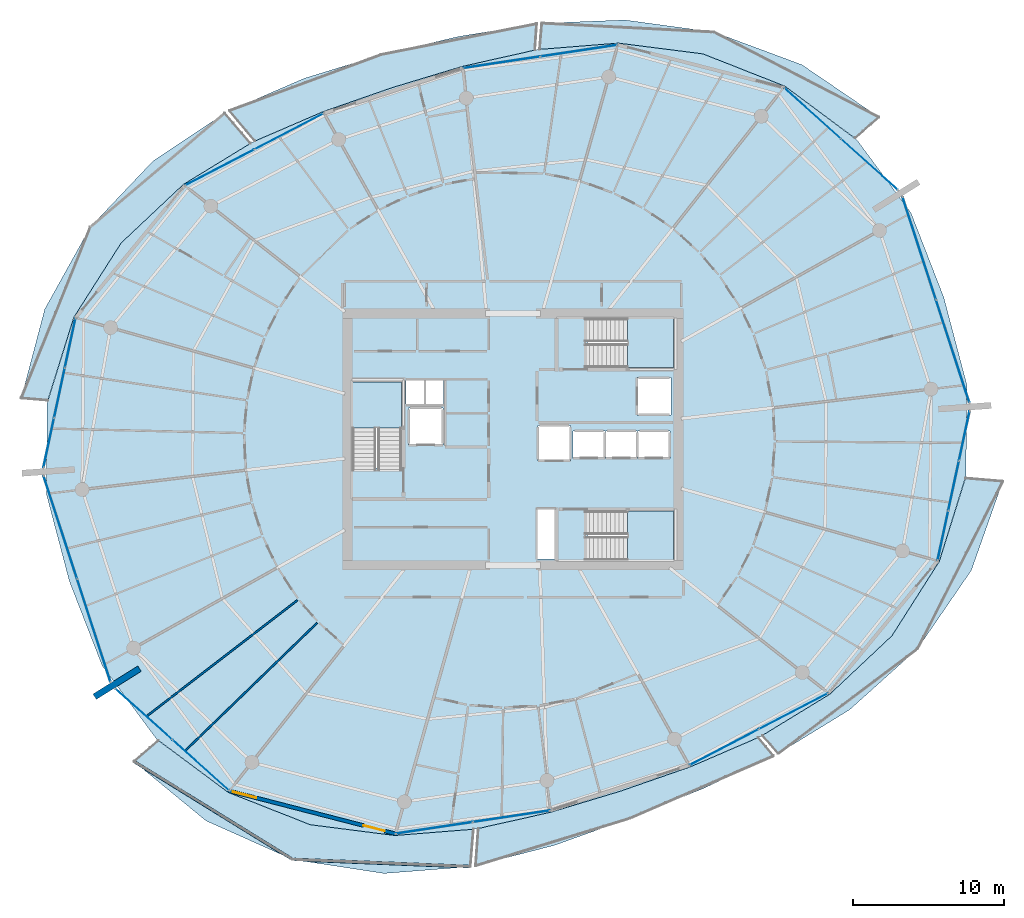
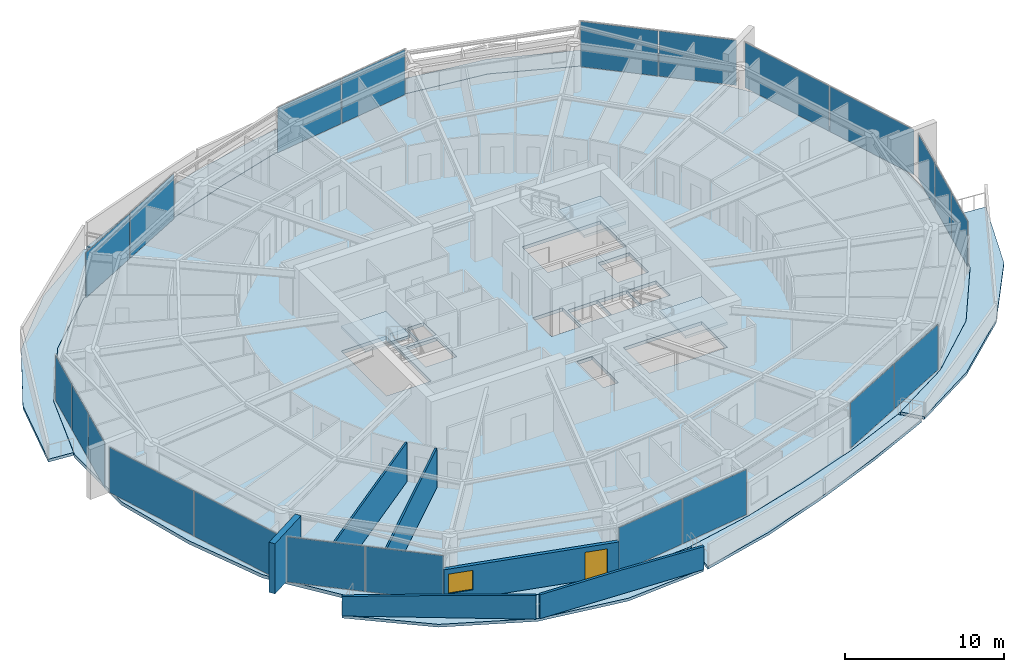
# One storey, part 18 of 31: 22 plates, 10 slabs, 6 walls, 1 door, 1 window, 2 openings, 13 elements without a shape of their own.
"""IFC4 building model written with IfcOpenShell, lengths in metres."""

from ifc_helpers import new_model, si_unit, direction, frame, frame_2d, origin, origin_2d, place, context, subcontext, project, spatial, polyline, rectangle, outline, extrude, material, layer, layer_set, type_object, element, fill, aggregate, save


model = new_model("IFC4")

# Units and contexts
model_context = context("Model", 3, precision=1e-05, world=origin(), true_north=direction((0.0, 1.0)))
body_context = subcontext(model_context, "Body", "Model", "MODEL_VIEW")
ifc_project = project(units=[si_unit("LENGTHUNIT", "METRE"), si_unit("AREAUNIT", "SQUARE_METRE"), si_unit("VOLUMEUNIT", "CUBIC_METRE"), si_unit("PLANEANGLEUNIT", "RADIAN"), si_unit("MASSUNIT", "GRAM", prefix="KILO")], contexts=[model_context])

# Site, building, storey
site_placement = place(None, origin())
site = spatial("IfcSite", under=ifc_project, at=site_placement, CompositionType="ELEMENT")
building_placement = place(site_placement, origin())
building = spatial("IfcBuilding", under=site, at=building_placement, Name="Kazma Halo Residences", CompositionType="ELEMENT")
storey_placement = place(building_placement, frame((0.0, 0.0, 271.35009765625)))
storey = spatial("IfcBuildingStorey", under=building, at=storey_placement, Name="L68", CompositionType="ELEMENT", Elevation=271.35009765625)

# Curtain wall, plates
ifc_material_1 = material(Name="Aluminium AW-6063 T6 and Triple-Silver Low-E Glass", Category="aluminium")
ifc_layer_1 = layer(ifc_material_1, 0.139892578125)
ifc_layer_set_1 = layer_set([ifc_layer_1], Name="Aluminium AW-6063 T6 and Triple-Silver Low-E Glass")
curtain_wall_type = type_object("IfcCurtainWallType", Name="CW-SYS-5", PredefinedType="NOTDEFINED", material=ifc_layer_set_1)
curtain_wall_1_placement = place(storey_placement, origin())
curtain_wall_1 = element("IfcCurtainWall", 1, at=curtain_wall_1_placement, inside=storey, type_object=curtain_wall_type, Name="L68 unitised curtain wall B01", PredefinedType="NOTDEFINED")
ifc_material_2 = material(Name="Clear Triple-Silver Low-E Glass IGU", Category="glass")
ifc_layer_2 = layer(ifc_material_2, 0.02587890625)
ifc_layer_set_2 = layer_set([ifc_layer_2], Name="Clear Triple-Silver Low-E Glass IGU")
plate_type = type_object("IfcPlateType", Name="CW-SYS-5-PNL", PredefinedType="CURTAIN_PANEL", material=ifc_layer_set_2)
plate_1_placement = place(storey_placement, frame((72.002685546875, 60.179443359375, 0.06005859375), z_axis=(0.0, 0.0, 1.0), x_axis=(-0.744336424671, 0.667804826958, 0.0)))
plate_1 = element("IfcPlate", 2, at=plate_1_placement, type_object=plate_type, Name="CWS-5 panel 1.1", PredefinedType="CURTAIN_PANEL", context=body_context, shape_type="SweptSolid", body=[
    extrude(rectangle(XDim=4.993408203125, YDim=0.02587890625, at=origin_2d()), origin(), (0.0, 0.0, 1.0), 3.469970703125),
])
plate_2_placement = place(storey_placement, frame((68.2412109375, 63.55419921875, 0.06005859375), z_axis=(0.0, 0.0, 1.0), x_axis=(-0.744336424671, 0.667804826958, 0.0)))
plate_2 = element("IfcPlate", 3, at=plate_2_placement, type_object=plate_type, Name="CWS-5 panel 2.1", PredefinedType="CURTAIN_PANEL", context=body_context, shape_type="SweptSolid", body=[
    extrude(rectangle(XDim=4.993408203125, YDim=0.02587890625, at=origin_2d()), origin(), (0.0, 0.0, 1.0), 3.469970703125),
])
aggregate(curtain_wall_1, [plate_1, plate_2])

curtain_wall_2_placement = place(storey_placement, origin())
curtain_wall_2 = element("IfcCurtainWall", 4, at=curtain_wall_2_placement, inside=storey, type_object=curtain_wall_type, Name="L68 unitised curtain wall B03", PredefinedType="NOTDEFINED")
plate_3_placement = place(storey_placement, frame((52.77783203125, 67.70361328125, 0.06005859375), z_axis=(0.0, 0.0, 1.0), x_axis=(-0.988882792998, -0.148697080374, 0.0)))
plate_3 = element("IfcPlate", 5, at=plate_3_placement, type_object=plate_type, Name="CWS-5 panel 1.1", PredefinedType="CURTAIN_PANEL", context=body_context, shape_type="SweptSolid", body=[
    extrude(rectangle(XDim=5.099853515625, YDim=0.02587890625, at=origin_2d()), origin(), (0.0, 0.0, 1.0), 3.469970703125),
])
plate_4_placement = place(storey_placement, frame((47.67529296875, 66.936279296875, 0.06005859375), z_axis=(0.0, 0.0, 1.0), x_axis=(-0.988882792998, -0.148697080374, 0.0)))
plate_4 = element("IfcPlate", 6, at=plate_4_placement, type_object=plate_type, Name="CWS-5 panel 2.1", PredefinedType="CURTAIN_PANEL", context=body_context, shape_type="SweptSolid", body=[
    extrude(rectangle(XDim=5.099853515625, YDim=0.02587890625, at=origin_2d()), origin(), (0.0, 0.0, 1.0), 3.469970703125),
])
aggregate(curtain_wall_2, [plate_3, plate_4])

curtain_wall_3_placement = place(storey_placement, origin())
curtain_wall_3 = element("IfcCurtainWall", 7, at=curtain_wall_3_placement, inside=storey, type_object=curtain_wall_type, Name="L68 unitised curtain wall B05", PredefinedType="NOTDEFINED")
plate_5_placement = place(storey_placement, frame((33.60546875, 62.36474609375, 0.06005859375), z_axis=(0.0, 0.0, 1.0), x_axis=(-0.887420518694, -0.460960760804, 0.0)))
plate_5 = element("IfcPlate", 8, at=plate_5_placement, type_object=plate_type, Name="CWS-5 panel 1.1", PredefinedType="CURTAIN_PANEL", context=body_context, shape_type="SweptSolid", body=[
    extrude(rectangle(XDim=5.099609375, YDim=0.02587890625, at=origin_2d()), origin(), (0.0, 0.0, 1.0), 3.469970703125),
])
plate_6_placement = place(storey_placement, frame((29.026611328125, 59.986328125, 0.06005859375), z_axis=(0.0, 0.0, 1.0), x_axis=(-0.887420518694, -0.460960760804, 0.0)))
plate_6 = element("IfcPlate", 9, at=plate_6_placement, type_object=plate_type, Name="CWS-5 panel 2.1", PredefinedType="CURTAIN_PANEL", context=body_context, shape_type="SweptSolid", body=[
    extrude(rectangle(XDim=5.099609375, YDim=0.02587890625, at=origin_2d()), origin(), (0.0, 0.0, 1.0), 3.469970703125),
])
aggregate(curtain_wall_3, [plate_5, plate_6])

curtain_wall_4_placement = place(storey_placement, origin())
curtain_wall_4 = element("IfcCurtainWall", 10, at=curtain_wall_4_placement, inside=storey, type_object=curtain_wall_type, Name="L68 unitised curtain wall B07", PredefinedType="NOTDEFINED")
plate_7_placement = place(storey_placement, frame((19.133056640625, 48.36865234375, 0.06005859375), z_axis=(0.0, 0.0, 1.0), x_axis=(-0.209657382603, -0.97777491373, 0.0)))
plate_7 = element("IfcPlate", 11, at=plate_7_placement, type_object=plate_type, Name="CWS-5 panel 1.1", PredefinedType="CURTAIN_PANEL", context=body_context, shape_type="SweptSolid", body=[
    extrude(rectangle(XDim=3.299072265625, YDim=0.02587890625, at=origin_2d()), origin(), (0.0, 0.0, 1.0), 3.469970703125),
])
plate_8_placement = place(storey_placement, frame((18.42578125, 45.069580078125, 0.06005859375), z_axis=(0.0, 0.0, 1.0), x_axis=(-0.209657382603, -0.97777491373, 0.0)))
plate_8 = element("IfcPlate", 12, at=plate_8_placement, type_object=plate_type, Name="CWS-5 panel 2.1", PredefinedType="CURTAIN_PANEL", context=body_context, shape_type="SweptSolid", body=[
    extrude(rectangle(XDim=3.3291015625, YDim=0.02587890625, at=origin_2d()), origin(), (0.0, 0.0, 1.0), 3.469970703125),
])
plate_9_placement = place(storey_placement, frame((17.71826171875, 41.7705078125, 0.06005859375), z_axis=(0.0, 0.0, 1.0), x_axis=(-0.209657382603, -0.97777491373, 0.0)))
plate_9 = element("IfcPlate", 13, at=plate_9_placement, type_object=plate_type, Name="CWS-5 panel 3.1", PredefinedType="CURTAIN_PANEL", context=body_context, shape_type="SweptSolid", body=[
    extrude(rectangle(XDim=3.299072265625, YDim=0.02587890625, at=origin_2d()), origin(), (0.0, 0.0, 1.0), 3.469970703125),
])
aggregate(curtain_wall_4, [plate_7, plate_8, plate_9])

curtain_wall_5_placement = place(storey_placement, origin())
curtain_wall_5 = element("IfcCurtainWall", 14, at=curtain_wall_5_placement, inside=storey, type_object=curtain_wall_type, Name="L68 unitised curtain wall B08", PredefinedType="NOTDEFINED")
plate_10_placement = place(storey_placement, frame((18.48486328125, 36.1787109375, 0.06005859375), z_axis=(0.0, 0.0, 1.0), x_axis=(0.309010998786, -0.951058464359, 0.0)))
plate_10 = element("IfcPlate", 15, at=plate_10_placement, type_object=plate_type, Name="CWS-5 panel 1.1", PredefinedType="CURTAIN_PANEL", context=body_context, shape_type="SweptSolid", body=[
    extrude(rectangle(XDim=7.108642578125, YDim=0.02587890625, at=origin_2d()), origin(), (0.0, 0.0, 1.0), 3.469970703125),
])
plate_11_placement = place(storey_placement, frame((20.699951171875, 29.36083984375, 0.06005859375), z_axis=(0.0, 0.0, 1.0), x_axis=(0.309010998786, -0.951058464359, 0.0)))
plate_11 = element("IfcPlate", 16, at=plate_11_placement, type_object=plate_type, Name="CWS-5 panel 2.1", PredefinedType="CURTAIN_PANEL", context=body_context, shape_type="SweptSolid", body=[
    extrude(rectangle(XDim=7.108642578125, YDim=0.02587890625, at=origin_2d()), origin(), (0.0, 0.0, 1.0), 3.469970703125),
])
aggregate(curtain_wall_5, [plate_10, plate_11])

curtain_wall_6_placement = place(storey_placement, origin())
curtain_wall_6 = element("IfcCurtainWall", 17, at=curtain_wall_6_placement, inside=storey, type_object=curtain_wall_type, Name="L68 unitised curtain wall B09", PredefinedType="NOTDEFINED")
plate_12_placement = place(storey_placement, frame((23.997314453125, 23.820556640625, 0.06005859375), z_axis=(0.0, 0.0, 1.0), x_axis=(0.744336424671, -0.667804826958, 0.0)))
plate_12 = element("IfcPlate", 18, at=plate_12_placement, type_object=plate_type, Name="CWS-5 panel 1.1", PredefinedType="CURTAIN_PANEL", context=body_context, shape_type="SweptSolid", body=[
    extrude(rectangle(XDim=4.993408203125, YDim=0.02587890625, at=origin_2d()), origin(), (0.0, 0.0, 1.0), 3.469970703125),
])
plate_13_placement = place(storey_placement, frame((27.7587890625, 20.44580078125, 0.06005859375), z_axis=(0.0, 0.0, 1.0), x_axis=(0.744336424671, -0.667804826958, 0.0)))
plate_13 = element("IfcPlate", 19, at=plate_13_placement, type_object=plate_type, Name="CWS-5 panel 2.1", PredefinedType="CURTAIN_PANEL", context=body_context, shape_type="SweptSolid", body=[
    extrude(rectangle(XDim=4.993408203125, YDim=0.02587890625, at=origin_2d()), origin(), (0.0, 0.0, 1.0), 3.469970703125),
])
aggregate(curtain_wall_6, [plate_12, plate_13])

curtain_wall_7_placement = place(storey_placement, origin())
curtain_wall_7 = element("IfcCurtainWall", 20, at=curtain_wall_7_placement, inside=storey, type_object=curtain_wall_type, Name="L68 unitised curtain wall B11", PredefinedType="NOTDEFINED")
plate_14_placement = place(storey_placement, frame((43.22216796875, 16.29638671875, 0.06005859375), z_axis=(0.0, 0.0, 1.0), x_axis=(0.988882792998, 0.148697080374, 0.0)))
plate_14 = element("IfcPlate", 21, at=plate_14_placement, type_object=plate_type, Name="CWS-5 panel 1.1", PredefinedType="CURTAIN_PANEL", context=body_context, shape_type="SweptSolid", body=[
    extrude(rectangle(XDim=5.099853515625, YDim=0.02587890625, at=origin_2d()), origin(), (0.0, 0.0, 1.0), 3.469970703125),
])
plate_15_placement = place(storey_placement, frame((48.32470703125, 17.063720703125, 0.06005859375), z_axis=(0.0, 0.0, 1.0), x_axis=(0.988882792998, 0.148697080374, 0.0)))
plate_15 = element("IfcPlate", 22, at=plate_15_placement, type_object=plate_type, Name="CWS-5 panel 2.1", PredefinedType="CURTAIN_PANEL", context=body_context, shape_type="SweptSolid", body=[
    extrude(rectangle(XDim=5.099853515625, YDim=0.02587890625, at=origin_2d()), origin(), (0.0, 0.0, 1.0), 3.469970703125),
])
aggregate(curtain_wall_7, [plate_14, plate_15])

curtain_wall_8_placement = place(storey_placement, origin())
curtain_wall_8 = element("IfcCurtainWall", 23, at=curtain_wall_8_placement, inside=storey, type_object=curtain_wall_type, Name="L68 unitised curtain wall B13", PredefinedType="NOTDEFINED")
plate_16_placement = place(storey_placement, frame((62.39453125, 21.63525390625, 0.06005859375), z_axis=(0.0, 0.0, 1.0), x_axis=(0.887420518694, 0.460960760804, 0.0)))
plate_16 = element("IfcPlate", 24, at=plate_16_placement, type_object=plate_type, Name="CWS-5 panel 1.1", PredefinedType="CURTAIN_PANEL", context=body_context, shape_type="SweptSolid", body=[
    extrude(rectangle(XDim=5.099609375, YDim=0.02587890625, at=origin_2d()), origin(), (0.0, 0.0, 1.0), 3.469970703125),
])
plate_17_placement = place(storey_placement, frame((66.973388671875, 24.013671875, 0.06005859375), z_axis=(0.0, 0.0, 1.0), x_axis=(0.887420518694, 0.460960760804, 0.0)))
plate_17 = element("IfcPlate", 25, at=plate_17_placement, type_object=plate_type, Name="CWS-5 panel 2.1", PredefinedType="CURTAIN_PANEL", context=body_context, shape_type="SweptSolid", body=[
    extrude(rectangle(XDim=5.099609375, YDim=0.02587890625, at=origin_2d()), origin(), (0.0, 0.0, 1.0), 3.469970703125),
])
aggregate(curtain_wall_8, [plate_16, plate_17])

curtain_wall_9_placement = place(storey_placement, origin())
curtain_wall_9 = element("IfcCurtainWall", 26, at=curtain_wall_9_placement, inside=storey, type_object=curtain_wall_type, Name="L68 unitised curtain wall B15", PredefinedType="NOTDEFINED")
plate_18_placement = place(storey_placement, frame((76.866943359375, 35.63134765625, 0.06005859375), z_axis=(0.0, 0.0, 1.0), x_axis=(0.209657382603, 0.97777491373, 0.0)))
plate_18 = element("IfcPlate", 27, at=plate_18_placement, type_object=plate_type, Name="CWS-5 panel 1.1", PredefinedType="CURTAIN_PANEL", context=body_context, shape_type="SweptSolid", body=[
    extrude(rectangle(XDim=3.299072265625, YDim=0.02587890625, at=origin_2d()), origin(), (0.0, 0.0, 1.0), 3.469970703125),
])
plate_19_placement = place(storey_placement, frame((77.57421875, 38.930419921875, 0.06005859375), z_axis=(0.0, 0.0, 1.0), x_axis=(0.209657382603, 0.97777491373, 0.0)))
plate_19 = element("IfcPlate", 28, at=plate_19_placement, type_object=plate_type, Name="CWS-5 panel 2.1", PredefinedType="CURTAIN_PANEL", context=body_context, shape_type="SweptSolid", body=[
    extrude(rectangle(XDim=3.3291015625, YDim=0.02587890625, at=origin_2d()), origin(), (0.0, 0.0, 1.0), 3.469970703125),
])
plate_20_placement = place(storey_placement, frame((78.28173828125, 42.2294921875, 0.06005859375), z_axis=(0.0, 0.0, 1.0), x_axis=(0.209657382603, 0.97777491373, 0.0)))
plate_20 = element("IfcPlate", 29, at=plate_20_placement, type_object=plate_type, Name="CWS-5 panel 3.1", PredefinedType="CURTAIN_PANEL", context=body_context, shape_type="SweptSolid", body=[
    extrude(rectangle(XDim=3.299072265625, YDim=0.02587890625, at=origin_2d()), origin(), (0.0, 0.0, 1.0), 3.469970703125),
])
aggregate(curtain_wall_9, [plate_18, plate_19, plate_20])

curtain_wall_10_placement = place(storey_placement, origin())
curtain_wall_10 = element("IfcCurtainWall", 30, at=curtain_wall_10_placement, inside=storey, type_object=curtain_wall_type, Name="L68 unitised curtain wall B16", PredefinedType="NOTDEFINED")
plate_21_placement = place(storey_placement, frame((77.51513671875, 47.8212890625, 0.06005859375), z_axis=(0.0, 0.0, 1.0), x_axis=(-0.309010998786, 0.951058464359, 0.0)))
plate_21 = element("IfcPlate", 31, at=plate_21_placement, type_object=plate_type, Name="CWS-5 panel 1.1", PredefinedType="CURTAIN_PANEL", context=body_context, shape_type="SweptSolid", body=[
    extrude(rectangle(XDim=7.108642578125, YDim=0.02587890625, at=origin_2d()), origin(), (0.0, 0.0, 1.0), 3.469970703125),
])
plate_22_placement = place(storey_placement, frame((75.300048828125, 54.63916015625, 0.06005859375), z_axis=(0.0, 0.0, 1.0), x_axis=(-0.309010998786, 0.951058464359, 0.0)))
plate_22 = element("IfcPlate", 32, at=plate_22_placement, type_object=plate_type, Name="CWS-5 panel 2.1", PredefinedType="CURTAIN_PANEL", context=body_context, shape_type="SweptSolid", body=[
    extrude(rectangle(XDim=7.108642578125, YDim=0.02587890625, at=origin_2d()), origin(), (0.0, 0.0, 1.0), 3.469970703125),
])
aggregate(curtain_wall_10, [plate_21, plate_22])

# Slabs
ifc_material_3 = material(Name="White Concrete C50/60", Category="concrete")
ifc_layer_3 = layer(ifc_material_3, 0.219970703125)
ifc_layer_set_3 = layer_set([ifc_layer_3], Name="White Concrete C50/60")
slab_type_1 = type_object("IfcSlabType", Name="SLB-BAL-WAVE-210", PredefinedType="FLOOR", material=ifc_layer_set_3)
slab_1_placement = place(storey_placement, frame((0.0, 0.0, -0.22021484375)))
element("IfcSlab", 33, at=slab_1_placement, inside=storey, type_object=slab_type_1, Name="L68 NE cantilevered wave balcony slab", PredefinedType="FLOOR", context=body_context, shape_type="SweptSolid", body=[
    extrude(outline(polyline([(71.0400390625, 61.9228515625), (66.41357421875, 65.357421875), (60.990478515625, 67.49560546875), (55.3916015625, 68.208984375), (50.188720703125, 67.794189453125), (50.33544921875, 69.523681640625), (55.82275390625, 69.7373046875), (61.72509765625, 68.936767578125), (67.533447265625, 66.778076171875), (72.63720703125, 63.3037109375), (71.0400390625, 61.9228515625)])), origin(), (0.0, 0.0, 1.0), 0.22021484375),
])
slab_2_placement = place(storey_placement, frame((0.0, 0.0, -0.22021484375)))
element("IfcSlab", 34, at=slab_2_placement, inside=storey, type_object=slab_type_1, Name="L68 NNW cantilevered wave balcony slab", PredefinedType="FLOOR", context=body_context, shape_type="SweptSolid", body=[
    extrude(outline(polyline([(49.8681640625, 67.74609375), (45.080078125, 66.66943359375), (40.43994140625, 65.267333984375), (35.86181640625, 63.67431640625), (31.35546875, 61.731201171875), (29.66259765625, 63.73779296875), (34.62548828125, 65.882080078125), (39.730224609375, 67.451904296875), (44.845458984375, 68.652099609375), (49.994384765625, 69.486083984375), (49.8681640625, 67.74609375)])), origin(), (0.0, 0.0, 1.0), 0.22021484375),
])
slab_3_placement = place(storey_placement, frame((0.0, 0.0, -0.22021484375)))
element("IfcSlab", 35, at=slab_3_placement, inside=storey, type_object=slab_type_1, Name="L68 NW cantilevered wave balcony slab", PredefinedType="FLOOR", context=body_context, shape_type="SweptSolid", body=[
    extrude(outline(polyline([(31.06787109375, 61.58154296875), (26.614501953125, 58.85888671875), (22.50439453125, 54.990478515625), (19.3740234375, 50.0732421875), (17.64990234375, 44.5751953125), (15.89599609375, 44.72412109375), (17.452392578125, 50.615234375), (20.4580078125, 56.033447265625), (24.62744140625, 60.42529296875), (29.34765625, 63.571044921875), (31.06787109375, 61.58154296875)])), origin(), (0.0, 0.0, 1.0), 0.22021484375),
])
slab_4_placement = place(storey_placement, frame((0.0, 0.0, -0.22021484375)))
element("IfcSlab", 36, at=slab_4_placement, inside=storey, type_object=slab_type_1, Name="L68 SW cantilevered wave balcony slab", PredefinedType="FLOOR", context=body_context, shape_type="SweptSolid", body=[
    extrude(outline(polyline([(24.9599609375, 22.0771484375), (29.58642578125, 18.642578125), (35.009521484375, 16.50439453125), (40.6083984375, 15.791015625), (45.811279296875, 16.205810546875), (45.601318359375, 13.72998046875), (39.900390625, 13.28076171875), (33.8388671875, 14.20703125), (28.10888671875, 16.76806640625), (23.348388671875, 20.68359375), (24.9599609375, 22.0771484375)])), origin(), (0.0, 0.0, 1.0), 0.22021484375),
])
slab_5_placement = place(storey_placement, frame((0.0, 0.0, -0.22021484375)))
element("IfcSlab", 37, at=slab_5_placement, inside=storey, type_object=slab_type_1, Name="L68 SSE cantilevered wave balcony slab", PredefinedType="FLOOR", context=body_context, shape_type="SweptSolid", body=[
    extrude(outline(polyline([(46.1318359375, 16.25390625), (50.919921875, 17.33056640625), (55.56005859375, 18.732666015625), (60.13818359375, 20.32568359375), (64.64453125, 22.268798828125), (65.666748046875, 21.05712890625), (60.951904296875, 18.87255859375), (56.146728515625, 16.926513671875), (51.17822265625, 15.146240234375), (45.953369140625, 13.794189453125), (46.1318359375, 16.25390625)])), origin(), (0.0, 0.0, 1.0), 0.22021484375),
])
slab_6_placement = place(storey_placement, frame((0.0, 0.0, -0.22021484375)))
element("IfcSlab", 38, at=slab_6_placement, inside=storey, type_object=slab_type_1, Name="L68 SE cantilevered wave balcony slab", PredefinedType="FLOOR", context=body_context, shape_type="SweptSolid", body=[
    extrude(outline(polyline([(64.93212890625, 22.41845703125), (69.385498046875, 25.14111328125), (73.49560546875, 29.009521484375), (76.6259765625, 33.9267578125), (78.35009765625, 39.4248046875), (80.822998046875, 39.21484375), (78.742919921875, 33.32958984375), (75.1875, 28.147216796875), (70.693359375, 24.110107421875), (65.972412109375, 21.215576171875), (64.93212890625, 22.41845703125)])), origin(), (0.0, 0.0, 1.0), 0.22021484375),
])
ifc_material_4 = material(Name="Concrete C50/60", Category="concrete")
ifc_layer_4 = layer(ifc_material_4, 0.260009765625)
ifc_layer_set_4 = layer_set([ifc_layer_4], Name="Concrete C50/60")
slab_type_2 = type_object("IfcSlabType", Name="SLB-RES-260", PredefinedType="FLOOR", material=ifc_layer_set_4)
slab_7_placement = place(storey_placement, frame((0.0, 0.0, -0.260009765625)))
element("IfcSlab", 39, at=slab_7_placement, inside=storey, type_object=slab_type_2, Name="L68 structural floor slab", PredefinedType="FLOOR", context=body_context, shape_type="SweptSolid", body=[
    extrude(outline(polyline([(76.9189453125, 51.396240234375), (74.749755859375, 56.980712890625), (71.180419921875, 61.7978515625), (66.412109375, 65.355712890625), (60.98974609375, 67.49365234375), (55.39111328125, 68.207275390625), (50.02880859375, 67.7783203125), (45.080322265625, 66.66748046875), (40.440673828125, 65.265380859375), (35.86279296875, 63.672607421875), (31.20654296875, 61.66259765625), (26.6162109375, 58.857666015625), (22.50634765625, 54.98974609375), (19.3759765625, 50.07275390625), (17.60986328125, 44.391845703125), (17.5537109375, 38.396484375), (19.0810546875, 32.603759765625), (21.250244140625, 27.019287109375), (24.819580078125, 22.2021484375), (29.587890625, 18.644287109375), (35.01025390625, 16.50634765625), (40.60888671875, 15.792724609375), (45.97119140625, 16.2216796875), (50.919677734375, 17.33251953125), (55.559326171875, 18.734619140625), (60.13720703125, 20.327392578125), (64.79345703125, 22.33740234375), (69.3837890625, 25.142333984375), (73.49365234375, 29.01025390625), (76.6240234375, 33.92724609375), (78.39013671875, 39.608154296875), (78.4462890625, 45.603515625), (76.9189453125, 51.396240234375)]), holes=[polyline([(37.800048828125, 40.110107421875), (41.050048828125, 40.110107421875), (41.050048828125, 45.800048828125), (37.800048828125, 45.800048828125), (37.800048828125, 40.110107421875)]), polyline([(53.360107421875, 46.75), (59.050048828125, 46.75), (59.050048828125, 50.0), (53.360107421875, 50.0), (53.360107421875, 46.75)]), polyline([(53.360107421875, 34.0), (59.050048828125, 34.0), (59.050048828125, 37.25), (53.360107421875, 37.25), (53.360107421875, 34.0)]), polyline([(41.52001953125, 41.6201171875), (43.780029296875, 41.6201171875), (43.780029296875, 44.080078125), (41.52001953125, 44.080078125), (41.52001953125, 41.6201171875)]), polyline([(56.6201171875, 43.6201171875), (58.8798828125, 43.6201171875), (58.8798828125, 46.080078125), (56.6201171875, 46.080078125), (56.6201171875, 43.6201171875)]), polyline([(52.39501953125, 40.7451171875), (54.5048828125, 40.7451171875), (54.5048828125, 42.554931640625), (52.39501953125, 42.554931640625), (52.39501953125, 40.7451171875)]), polyline([(54.544921875, 40.7451171875), (56.655029296875, 40.7451171875), (56.655029296875, 42.554931640625), (54.544921875, 42.554931640625), (54.544921875, 40.7451171875)]), polyline([(56.695068359375, 40.7451171875), (58.804931640625, 40.7451171875), (58.804931640625, 42.554931640625), (56.695068359375, 42.554931640625), (56.695068359375, 40.7451171875)]), polyline([(50.070068359375, 40.570068359375), (52.22998046875, 40.570068359375), (52.22998046875, 42.929931640625), (50.070068359375, 42.929931640625), (50.070068359375, 40.570068359375)]), polyline([(41.360107421875, 44.340087890625), (42.5400390625, 44.340087890625), (42.5400390625, 45.89990234375), (41.360107421875, 45.89990234375), (41.360107421875, 44.340087890625)]), polyline([(42.659912109375, 44.340087890625), (43.840087890625, 44.340087890625), (43.840087890625, 45.89990234375), (42.659912109375, 45.89990234375), (42.659912109375, 44.340087890625)]), polyline([(50.06005859375, 34.080078125), (51.159912109375, 34.080078125), (51.159912109375, 37.3798828125), (50.06005859375, 37.3798828125), (50.06005859375, 34.080078125)])]), origin(), (0.0, 0.0, 1.0), 0.260009765625),
])

# Stair, slab
stair_type = type_object("IfcStairType", Name="STR-RES2", PredefinedType="HALF_TURN_STAIR", material=ifc_material_4)
stair_1_placement = place(storey_placement, origin())
stair_1 = element("IfcStair", 40, at=stair_1_placement, inside=storey, type_object=stair_type, Name="L68 Core exit stair ST-01", PredefinedType="HALF_TURN_STAIR")
ifc_layer_5 = layer(ifc_material_4, 0.199951171875)
ifc_layer_set_5 = layer_set([ifc_layer_5], Name="Concrete C50/60")
slab_type_3 = type_object("IfcSlabType", Name="SLB-STAIR-LND-200", PredefinedType="LANDING", material=ifc_layer_set_5)
slab_8_placement = place(storey_placement, frame((0.0, 0.0, 1.724853515625)))
slab_8 = element("IfcSlab", 41, at=slab_8_placement, type_object=slab_type_3, Name="ST-01 landing 1", PredefinedType="LANDING", context=body_context, shape_type="SweptSolid", body=[
    extrude(outline(polyline([(41.050048828125, 42.75), (41.050048828125, 45.800048828125), (37.800048828125, 45.800048828125), (37.800048828125, 42.75), (41.050048828125, 42.75)])), origin(), (0.0, 0.0, 1.0), 0.199951171875),
])
aggregate(stair_1, [slab_8])

stair_2_placement = place(storey_placement, origin())
stair_2 = element("IfcStair", 42, at=stair_2_placement, inside=storey, type_object=stair_type, Name="L68 Core exit stair ST-02", PredefinedType="HALF_TURN_STAIR")
slab_9_placement = place(storey_placement, frame((0.0, 0.0, 1.724853515625)))
slab_9 = element("IfcSlab", 43, at=slab_9_placement, type_object=slab_type_3, Name="ST-02 landing 1", PredefinedType="LANDING", context=body_context, shape_type="SweptSolid", body=[
    extrude(outline(polyline([(56.0, 46.75), (59.050048828125, 46.75), (59.050048828125, 50.0), (56.0, 50.0), (56.0, 46.75)])), origin(), (0.0, 0.0, 1.0), 0.199951171875),
])
aggregate(stair_2, [slab_9])

stair_3_placement = place(storey_placement, origin())
stair_3 = element("IfcStair", 44, at=stair_3_placement, inside=storey, type_object=stair_type, Name="L68 Core exit stair ST-03", PredefinedType="HALF_TURN_STAIR")
slab_10_placement = place(storey_placement, frame((0.0, 0.0, 1.724853515625)))
slab_10 = element("IfcSlab", 45, at=slab_10_placement, type_object=slab_type_3, Name="ST-03 landing 1", PredefinedType="LANDING", context=body_context, shape_type="SweptSolid", body=[
    extrude(outline(polyline([(56.0, 34.0), (59.050048828125, 34.0), (59.050048828125, 37.25), (56.0, 37.25), (56.0, 34.0)])), origin(), (0.0, 0.0, 1.0), 0.199951171875),
])
aggregate(stair_3, [slab_10])

# Walls
ifc_material_5 = material(Name="White Concrete C50/60 Balustrade", Category="concrete")
ifc_layer_6 = layer(ifc_material_5, 0.179931640625)
ifc_layer_set_6 = layer_set([ifc_layer_6], Name="White Concrete C50/60 Balustrade")
wall_type_1 = type_object("IfcWallType", Name="WL-BAL-WAVE-180", PredefinedType="PARAPET", material=ifc_layer_set_6)
wall_1_placement = place(storey_placement, frame((23.348388671875, 20.68359375, 0.0), z_axis=(0.0, 0.0, 1.0), x_axis=(0.850900796978, -0.52532640682, 0.0)))
element("IfcWall", 46, at=wall_1_placement, inside=storey, type_object=wall_type_1, Name="L68 white wave balustrade wall SW.1", PredefinedType="PARAPET", context=body_context, shape_type="SweptSolid", body=[
    extrude(outline(polyline([(0.0, 0.0), (12.208740234375, 0.0), (12.20849609375, 1.831787109375), (6.104248046875, 1.69580078125), (0.0, 1.496826171875), (0.0, 0.0)])), frame((0.0, 0.08984375, 0.0), z_axis=(0.0, -1.0, 0.0), x_axis=(1.0, 0.0, 0.0)), (0.0, 0.0, 1.0), 0.179931640625),
])
wall_2_placement = place(storey_placement, frame((33.958740234375, 14.2021484375, 0.0), z_axis=(0.0, 0.0, 1.0), x_axis=(0.999178647834, -0.040521965797, 0.0)))
element("IfcWall", 47, at=wall_2_placement, inside=storey, type_object=wall_type_1, Name="L68 white wave balustrade wall SW.2", PredefinedType="PARAPET", context=body_context, shape_type="SweptSolid", body=[
    extrude(outline(polyline([(0.0, 0.0), (11.652099609375, 0.0), (11.652099609375, 1.755859375), (5.826171875, 1.852783203125), (0.0, 1.831787109375), (0.0, 0.0)])), frame((0.0, 0.08984375, 0.0), z_axis=(0.0, -1.0, 0.0), x_axis=(1.0, 0.0, 0.0)), (0.0, 0.0, 1.0), 0.179931640625),
])
ifc_material_6 = material(Name="Pale Concrete C60/75", Category="concrete")
ifc_layer_7 = layer(ifc_material_6, 0.419921875)
ifc_layer_set_7 = layer_set([ifc_layer_7], Name="Pale Concrete C60/75")
wall_type_2 = type_object("IfcWallType", Name="WL-BLADE-420", PredefinedType="SOLIDWALL", material=ifc_layer_set_7)
wall_3_placement = place(storey_placement, frame((23.718505859375, 26.827392578125, 0.0), z_axis=(0.0, 0.0, 1.0), x_axis=(-0.848033572426, -0.529942506352, 0.0)))
element("IfcWall", 48, at=wall_3_placement, inside=storey, type_object=wall_type_2, Name="L68 pale concrete structural blade fin wall BW-03", PredefinedType="SOLIDWALL", context=body_context, shape_type="SweptSolid", body=[
    extrude(rectangle(XDim=3.5, YDim=0.419921875, at=frame_2d((1.75, 0.0))), origin(), (0.0, 0.0, 1.0), 3.849853515625),
])

# Wall, openings, door, window
ifc_material_7 = material(Name="Insulated Pale-Metal Composite Wall")
ifc_layer_8 = layer(ifc_material_7, 0.239990234375)
ifc_layer_set_8 = layer_set([ifc_layer_8], Name="Insulated Pale-Metal Composite Wall")
wall_type_3 = type_object("IfcWallType", Name="WL-EXT-HOST-240", PredefinedType="SOLIDWALL", material=ifc_layer_set_8)
wall_4_placement = place(storey_placement, frame((29.613525390625, 18.7509765625, 0.0), z_axis=(0.0, 0.0, 1.0), x_axis=(0.968343758421, -0.249620442927, 0.0)))
wall_4 = element("IfcWall", 49, at=wall_4_placement, inside=storey, type_object=wall_type_3, Name="L68 exterior terrace-access wall B10", PredefinedType="SOLIDWALL", context=body_context, shape_type="SweptSolid", body=[
    extrude(rectangle(XDim=11.438232421875, YDim=0.239990234375, at=frame_2d((5.71923828125, 0.0))), origin(), (0.0, 0.0, 1.0), 2.539794921875),
])
opening_1_placement = place(wall_4_placement, frame((9.21826171875, 0.0, 0.0)))
opening_1 = element("IfcOpeningElement", 50, at=opening_1_placement, cuts=wall_4, Name="Opening DTR-1600", PredefinedType="OPENING", context=body_context, shape_type="SweptSolid", body=[
    extrude(rectangle(XDim=1.449951171875, YDim=2.14990234375, at=frame_2d((0.72509765625, 1.074951171875))), frame((0.0, 0.1298828125, 0.0), z_axis=(0.0, -1.0, 0.0), x_axis=(1.0, 0.0, 0.0)), (0.0, 0.0, 1.0), 0.260009765625),
])
opening_2_placement = place(wall_4_placement, frame((0.280029296875, 0.0, 0.64990234375)))
opening_2 = element("IfcOpeningElement", 51, at=opening_2_placement, cuts=wall_4, Name="Opening W-1800", PredefinedType="OPENING", context=body_context, shape_type="SweptSolid", body=[
    extrude(rectangle(XDim=1.60009765625, YDim=1.5, at=frame_2d((0.800048828125, 0.75))), frame((0.0, 0.1298828125, 0.0), z_axis=(0.0, -1.0, 0.0), x_axis=(1.0, 0.0, 0.0)), (0.0, 0.0, 1.0), 0.260009765625),
])
ifc_material_8 = material(Name="Aluminium AW-6063 T6 Double-Glazed Terrace Door", Category="aluminium")
door_type = type_object("IfcDoorType", Name="DR-EXT-TERR-1600", OperationType="NOTDEFINED", PredefinedType="DOOR", material=ifc_material_8)
door_placement = place(opening_1_placement, origin())
door = element("IfcDoor", 52, at=door_placement, inside=storey, type_object=door_type, Name="L68 B10 balcony terrace door", OperationType="DOUBLE_DOOR_SLIDING", OverallHeight=2.14990234375, OverallWidth=1.449951171875, PredefinedType="DOOR", context=body_context, shape_type="SweptSolid", body=[
    extrude(rectangle(XDim=1.449951171875, YDim=2.14990234375, at=frame_2d((0.72509765625, 1.074951171875))), frame((0.0, 0.02490234375, 0.0), z_axis=(0.0, -1.0, 0.0), x_axis=(1.0, 0.0, 0.0)), (0.0, 0.0, 1.0), 0.050048828125),
])
fill(opening_1, door)
ifc_material_9 = material(Name="Clear Triple-Silver Low-E Glass in Aluminium AW-6063 T6 Frame", Category="aluminium")
window_type = type_object("IfcWindowType", Name="WIN-RES-1800", PartitioningType="DOUBLE_PANEL_VERTICAL", PredefinedType="WINDOW", material=ifc_material_9)
window_placement = place(opening_2_placement, origin())
window = element("IfcWindow", 53, at=window_placement, inside=storey, type_object=window_type, Name="L68 B10 apartment window", OverallHeight=1.5, OverallWidth=1.60009765625, PartitioningType="SINGLE_PANEL", PredefinedType="WINDOW", context=body_context, shape_type="SweptSolid", body=[
    extrude(rectangle(XDim=1.60009765625, YDim=1.5, at=frame_2d((0.800048828125, 0.75))), frame((0.0, 0.030029296875, 0.0), z_axis=(0.0, -1.0, 0.0), x_axis=(1.0, 0.0, 0.0)), (0.0, 0.0, 1.0), 0.06005859375),
])
fill(opening_2, window)

# Walls
ifc_material_10 = material(Name="Gypsum Plasterboard Partition")
ifc_layer_9 = layer(ifc_material_10, 0.125)
ifc_layer_set_9 = layer_set([ifc_layer_9], Name="Gypsum Plasterboard Partition")
wall_type_4 = type_object("IfcWallType", Name="WL-PART-125", PredefinedType="PARTITIONING", material=ifc_layer_set_9)
wall_5_placement = place(storey_placement, frame((34.166748046875, 31.3564453125, 0.0), z_axis=(0.0, 0.0, 1.0), x_axis=(-0.792566304603, -0.609785743362, 0.0)))
element("IfcWall", 54, at=wall_5_placement, inside=storey, type_object=wall_type_4, Name="L68 Apartment 1 bay wall 1 8", PredefinedType="PARTITIONING", context=body_context, shape_type="SweptSolid", body=[
    extrude(rectangle(XDim=12.587646484375, YDim=0.125, at=frame_2d((6.2939453125, 0.0))), origin(), (0.0, 0.0, 1.0), 3.02978515625),
])
wall_6_placement = place(storey_placement, frame((35.4658203125, 29.853515625, 0.0), z_axis=(0.0, 0.0, 1.0), x_axis=(-0.718127905621, -0.695911137408, 0.0)))
element("IfcWall", 55, at=wall_6_placement, inside=storey, type_object=wall_type_4, Name="L68 Apartment 1 bay wall 2 8", PredefinedType="PARTITIONING", context=body_context, shape_type="SweptSolid", body=[
    extrude(rectangle(XDim=12.15380859375, YDim=0.125, at=frame_2d((6.076904296875, 0.0))), origin(), (0.0, 0.0, 1.0), 3.02978515625),
])

save(model, "model.ifc")
